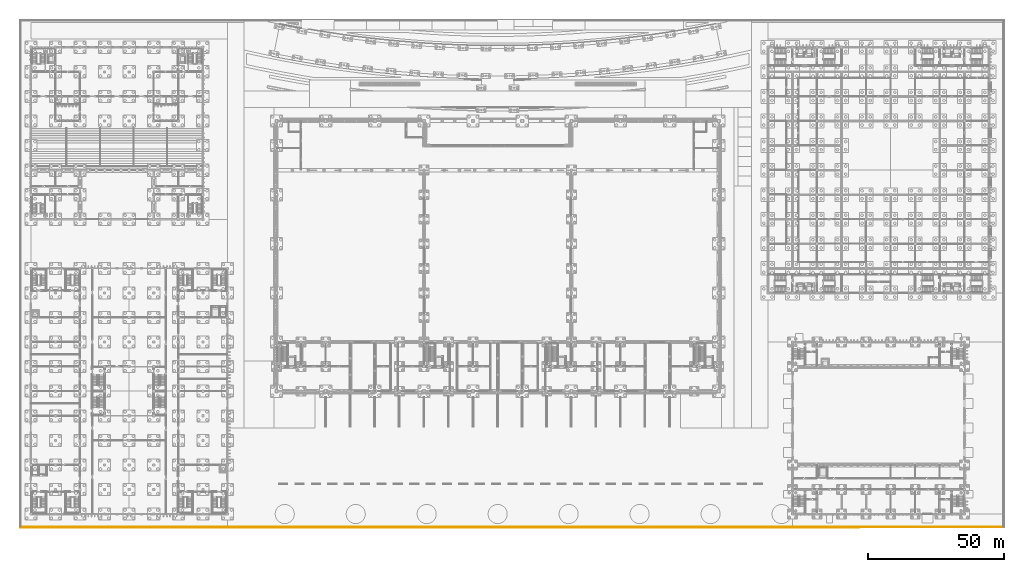
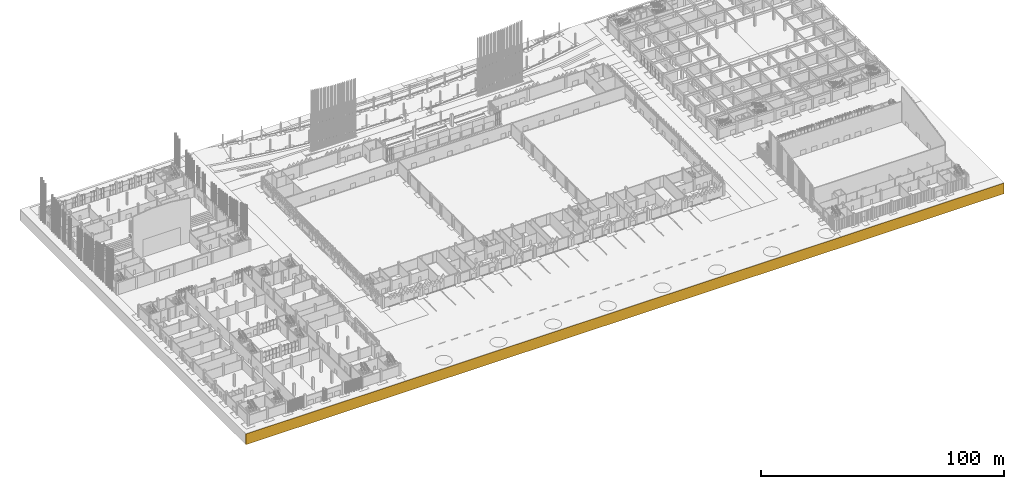
# One storey, part 155 of 198: 1 covering.
"""IFC4 building model written with IfcOpenShell, lengths in metres."""

from ifc_helpers import new_model, si_unit, direction, frame, origin, place, context, subcontext, project, spatial, polyline, outline, extrude, material, layer, layer_set, type_object, element, save


model = new_model("IFC4")

# Units and contexts
model_context = context("Model", 3, precision=1e-05, world=origin(), true_north=direction((0.0, 1.0)))
body_context = subcontext(model_context, "Body", "Model", "MODEL_VIEW")
ifc_project = project(units=[si_unit("LENGTHUNIT", "METRE"), si_unit("AREAUNIT", "SQUARE_METRE"), si_unit("VOLUMEUNIT", "CUBIC_METRE"), si_unit("PLANEANGLEUNIT", "RADIAN"), si_unit("MASSUNIT", "GRAM", prefix="KILO")], contexts=[model_context])

# Site, building, storey
site_placement = place(None, origin())
site = spatial("IfcSite", under=ifc_project, at=site_placement, CompositionType="ELEMENT")
building_placement = place(site_placement, origin())
building = spatial("IfcBuilding", under=site, at=building_placement, Name="Opaline Strait Convention Centre", CompositionType="ELEMENT")
storey_placement = place(building_placement, origin())
storey = spatial("IfcBuildingStorey", under=building, at=storey_placement, Name="L00", CompositionType="ELEMENT", Elevation=0.0)

# Covering
ifc_material = material(Name="Stabilised soil platform edge 300")
ifc_layer = layer(ifc_material, 0.300048828125)
ifc_layer_set = layer_set([ifc_layer], Name="Stabilised soil platform edge 300")
covering_type = type_object("IfcCoveringType", Name="Platform edge facing 300", PredefinedType="CLADDING", material=ifc_layer_set)
covering_placement = place(storey_placement, frame((0.0, 0.0, -5.5)))
element("IfcCovering", 1, at=covering_placement, inside=storey, type_object=covering_type, Name="Platform edge facing", PredefinedType="CLADDING", context=body_context, shape_type="SweptSolid", body=[
    extrude(outline(polyline([(5.0, 4.0), (365.5, 4.0), (365.5, 4.300048828125), (5.0, 4.300048828125), (5.0, 4.0)])), origin(), (0.0, 0.0, 1.0), 5.35009765625),
])

save(model, "model.ifc")
